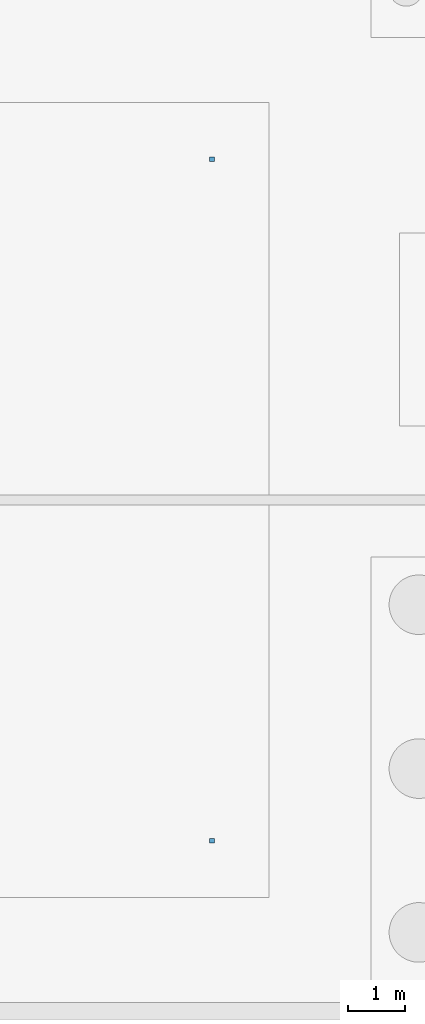
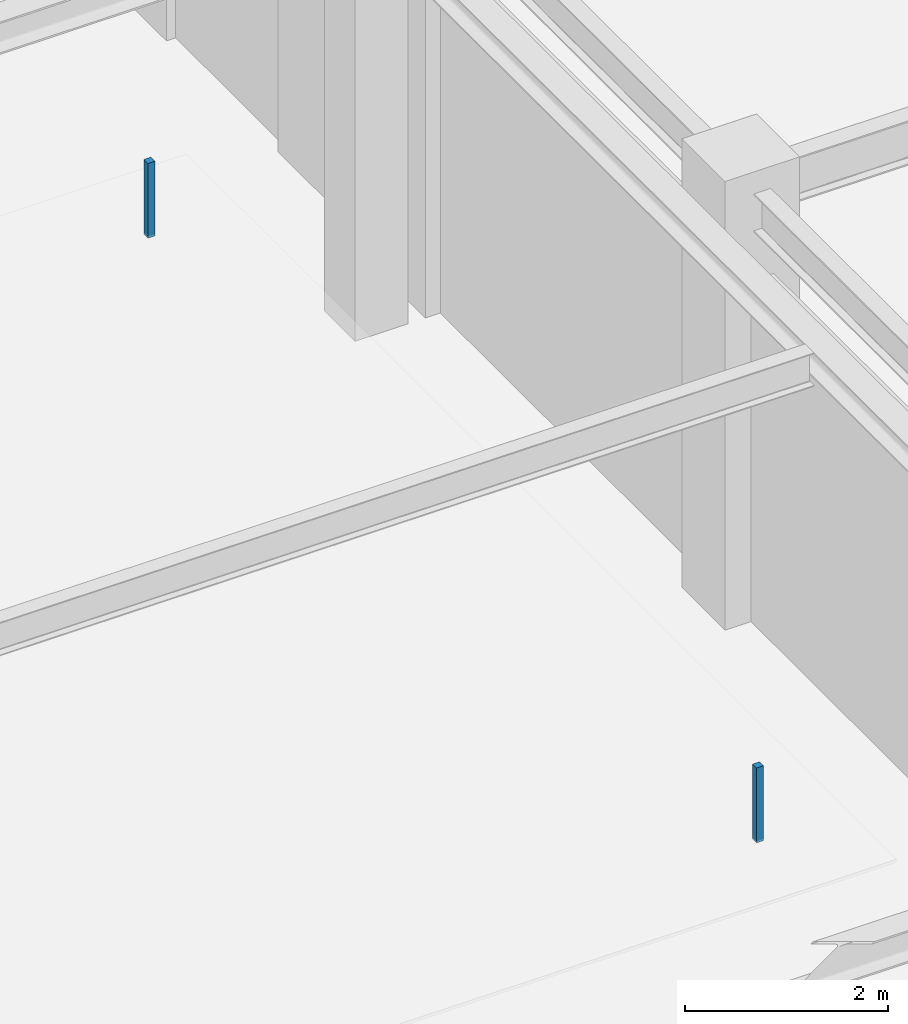
# One storey, part 47 of 53: 2 discrete accessories.
"""IFC4 building model written with IfcOpenShell, lengths in metres."""

from ifc_helpers import new_model, si_unit, derived_unit, direction, frame, origin, origin_2d, place, context, subcontext, project, spatial, rectangle, extrude, material, type_object, element, save


model = new_model("IFC4")

# Units and contexts
model_context = context("Model", 3, precision=1e-05, world=origin(), true_north=direction((0.0, 1.0)))
body_context = subcontext(model_context, "Body", "Model", "MODEL_VIEW")
ifc_project = project(units=[si_unit("LENGTHUNIT", "METRE"), si_unit("AREAUNIT", "SQUARE_METRE"), si_unit("VOLUMEUNIT", "CUBIC_METRE"), si_unit("PLANEANGLEUNIT", "RADIAN"), si_unit("MASSUNIT", "GRAM", prefix="KILO"), derived_unit("THERMALTRANSMITTANCEUNIT", [(si_unit("POWERUNIT", "WATT"), 1), (si_unit("LENGTHUNIT", "METRE"), -2), (si_unit("THERMODYNAMICTEMPERATUREUNIT", "KELVIN"), -1)])], contexts=[model_context])

# Site, building, storey
site_placement = place(None, origin())
site = spatial("IfcSite", under=ifc_project, at=site_placement, CompositionType="ELEMENT")
building_placement = place(site_placement, origin())
building = spatial("IfcBuilding", under=site, at=building_placement, Name="Almenara Railside Exhibition Hall", CompositionType="ELEMENT")
storey_placement = place(building_placement, origin())
storey = spatial("IfcBuildingStorey", under=building, at=storey_placement, Name="L00", CompositionType="ELEMENT", Elevation=0.0)

# Discrete accessories
ifc_material = material(Name="Galvanised steel suspension bracket", Category="steel")
discrete_accessory_type = type_object("IfcDiscreteAccessoryType", Name="Ceiling Suspension Bracket Hanger", PredefinedType="BRACKET", material=ifc_material)
for number, where, z_axis, x_axis, name in (
    (1, (133.0, 39.0, 4.280029296875), (0.0, 0.0, 1.0), (1.0, 0.0, 0.0), "Ceiling suspension hanger 0003"),
    (2, (133.0, 51.0, 4.280029296875), (0.0, 0.0, 1.0), (1.0, 0.0, 0.0), "Ceiling suspension hanger 0004"),
):
    element("IfcDiscreteAccessory", number, at=place(storey_placement, frame(where, z_axis=z_axis, x_axis=x_axis)), inside=storey, type_object=discrete_accessory_type, Name=name, PredefinedType="BRACKET", context=body_context, shape_type="SweptSolid", body=[
        extrude(rectangle(XDim=0.080078125, YDim=0.080078125, at=origin_2d()), origin(), (0.0, 0.0, 1.0), 0.89990234375),
    ])

save(model, "model.ifc")
